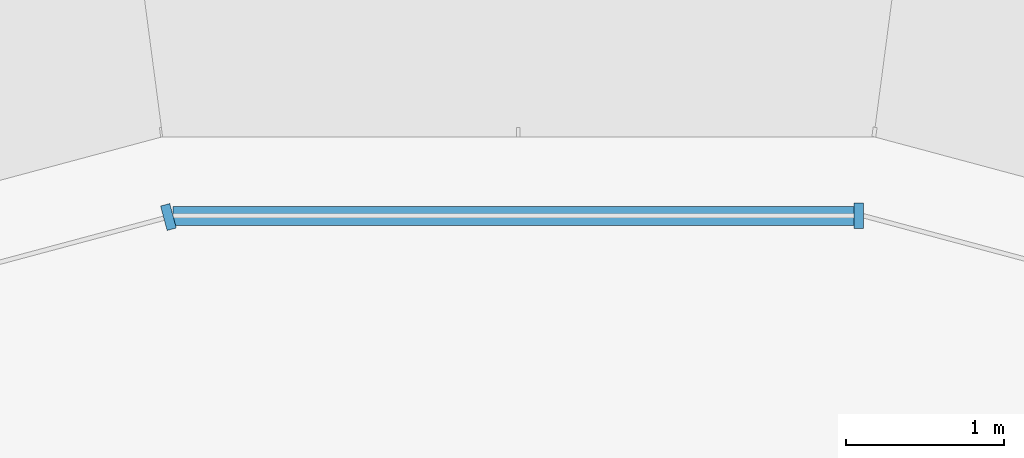
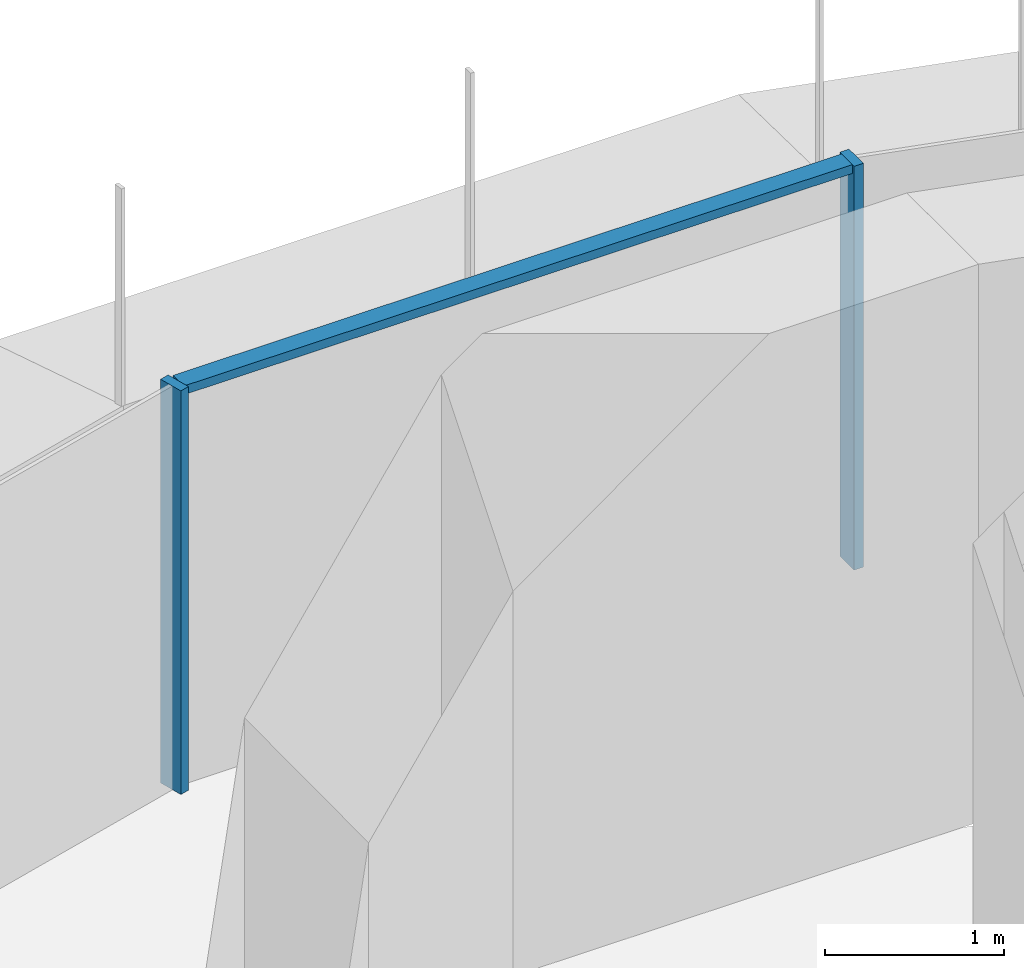
# One storey, part 11 of 22: 3 members, 2 elements without a shape of their own.
"""IFC4 building model written with IfcOpenShell, lengths in metres."""

from ifc_helpers import new_model, si_unit, direction, frame, origin, place, context, subcontext, project, spatial, polyline, outline, extrude, source, transform, mapped, material, type_object, element, aggregate, save


model = new_model("IFC4")

# Units and contexts
model_context = context("Model", 3, precision=1e-05, world=origin(), true_north=direction((0.0, 1.0)))
body_context = subcontext(model_context, "Body", "Model", "MODEL_VIEW")
ifc_project = project(units=[si_unit("LENGTHUNIT", "METRE"), si_unit("AREAUNIT", "SQUARE_METRE"), si_unit("VOLUMEUNIT", "CUBIC_METRE"), si_unit("PLANEANGLEUNIT", "RADIAN"), si_unit("MASSUNIT", "GRAM", prefix="KILO")], contexts=[model_context])

# Site, building, storey
site_placement = place(None, origin())
site = spatial("IfcSite", under=ifc_project, at=site_placement, CompositionType="ELEMENT")
building_placement = place(site_placement, origin())
building = spatial("IfcBuilding", under=site, at=building_placement, Name="Zarbagh Exchange Tower", CompositionType="ELEMENT")
storey_placement = place(building_placement, frame((0.0, 0.0, 109.39990234375)))
storey = spatial("IfcBuildingStorey", under=building, at=storey_placement, Name="L25", CompositionType="ELEMENT", Elevation=109.39990234375)

# Curtain wall, member
ifc_material_1 = material(Name="Anodised aluminium frame and glazing", Category="aluminium")
curtain_wall_type = type_object("IfcCurtainWallType", Name="CWA Ribbon glazing, lower zones", PredefinedType="NOTDEFINED", material=ifc_material_1)
curtain_wall_1_placement = place(storey_placement, origin())
curtain_wall_1 = element("IfcCurtainWall", 1, at=curtain_wall_1_placement, inside=storey, type_object=curtain_wall_type, Name="CWA57 curtain wall", PredefinedType="NOTDEFINED")
ifc_material_2 = material(Name="Anodised aluminium frame", Category="aluminium")
member_type_1 = type_object("IfcMemberType", Name="MUA Mullion, anodised aluminium frame", PredefinedType="MULLION", material=ifc_material_2)
shared_shape_1 = source(origin(), body_context, "Body", "SweptSolid", [
    extrude(outline(polyline([(0.0, -0.080078125), (0.06005859375, -0.080078125), (0.06005859375, 0.080078125), (0.0, 0.080078125), (0.0, -0.080078125)])), origin(), (0.0, 0.0, 1.0), 2.75),
])
placement = place(storey_placement, origin())
member_1 = element("IfcMember", 2, at=placement, type_object=member_type_1, Name="CWA57 mullion 1.1", PredefinedType="MULLION", context=body_context, shape_type="MappedRepresentation", body=[
    mapped(shared_shape_1, transform((2.18408203125, 31.0, 0.0), x_axis=(-1.0, 0.0, 0.0), y_axis=(0.0, -1.0, 0.0), z_axis=(0.0, 0.0, 1.0))),
])

curtain_wall_2_placement = place(storey_placement, origin())
curtain_wall_2 = element("IfcCurtainWall", 3, at=curtain_wall_2_placement, inside=storey, type_object=curtain_wall_type, Name="CWA53 curtain wall", PredefinedType="NOTDEFINED")
member_2 = element("IfcMember", 4, at=placement, type_object=member_type_1, Name="CWA53 mullion 1.1", PredefinedType="MULLION", context=body_context, shape_type="MappedRepresentation", body=[
    mapped(shared_shape_1, transform((-2.18408203125, 31.0, 0.0), x_axis=(-0.965924289636, -0.258824779902, 0.0), y_axis=(0.258824779902, -0.965924289636, 0.0), z_axis=(0.0, 0.0, 1.0))),
])
aggregate(curtain_wall_2, [member_2])

# Member
member_type_2 = type_object("IfcMemberType", Name="TRA Transom, anodised aluminium frame", PredefinedType="USERDEFINED", material=ifc_material_2)
shared_shape_2 = source(origin(), body_context, "Body", "SweptSolid", [
    extrude(outline(polyline([(-0.06005859375, -0.06005859375), (0.0, -0.06005859375), (0.0, 0.06005859375), (-0.06005859375, 0.06005859375), (-0.06005859375, -0.06005859375)])), origin(), (0.0, 0.0, 1.0), 4.308349609375),
])
member_3 = element("IfcMember", 5, at=placement, type_object=member_type_2, Name="CWA57 transom 1.1", ObjectType="TRANSOM", PredefinedType="USERDEFINED", context=body_context, shape_type="MappedRepresentation", body=[
    mapped(shared_shape_2, transform((2.124267578125, 31.0, 2.75), x_axis=(0.0, 0.0, 1.0), y_axis=(0.0, 1.0, 0.0), z_axis=(-1.0, 0.0, 0.0))),
])

aggregate(curtain_wall_1, [member_1, member_3])

save(model, "model.ifc")
